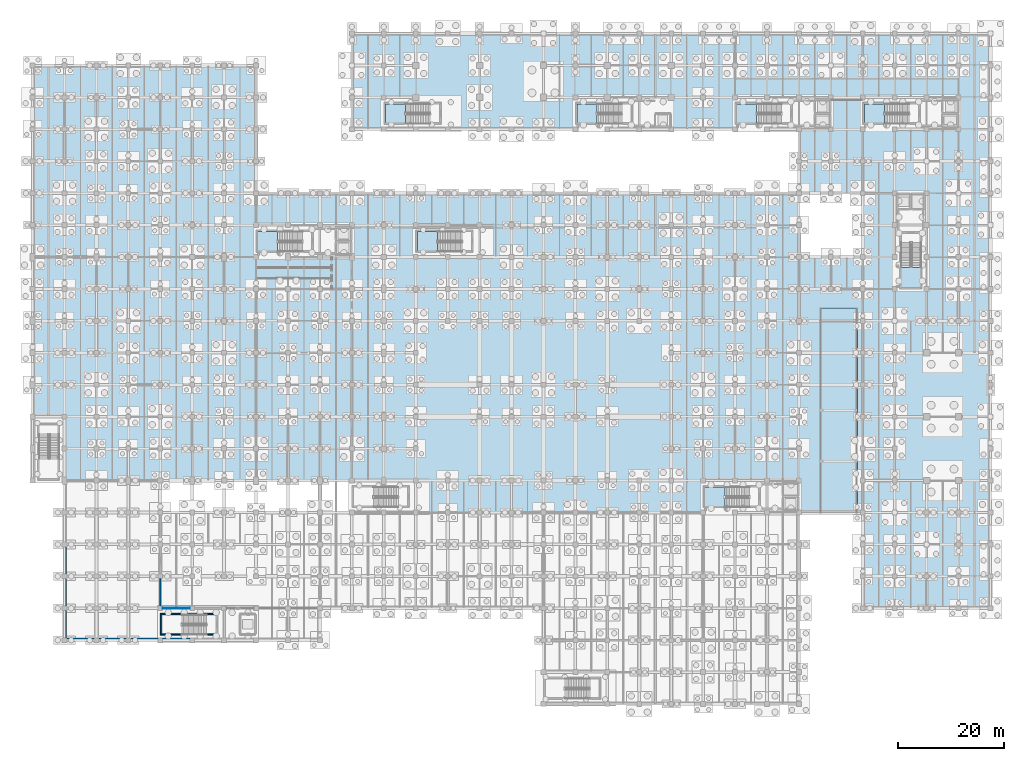
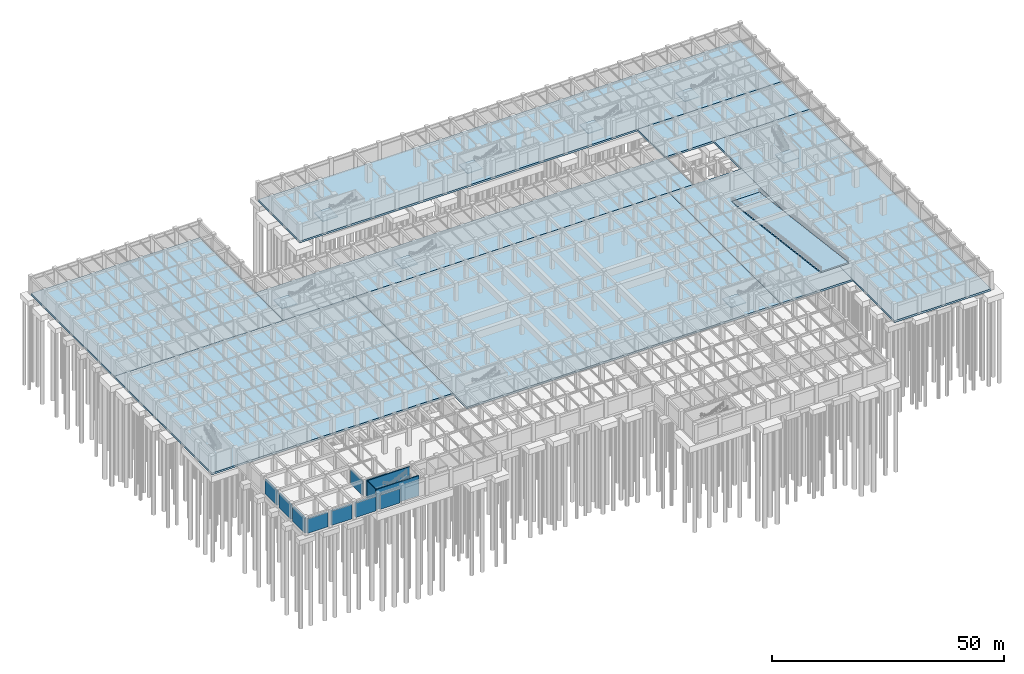
# One storey, part 37 of 54: 17 slabs, 12 walls, 8 elements without a shape of their own.
"""IFC4 building model written with IfcOpenShell, lengths in metres."""

from ifc_helpers import new_model, si_unit, direction, frame, frame_2d, origin, place, context, subcontext, project, spatial, polyline, rectangle, outline, extrude, material, layer, layer_set, type_object, element, aggregate, save


model = new_model("IFC4")

# Units and contexts
model_context = context("Model", 3, precision=1e-05, world=origin(), true_north=direction((0.0, 1.0)))
body_context = subcontext(model_context, "Body", "Model", "MODEL_VIEW")
ifc_project = project(units=[si_unit("LENGTHUNIT", "METRE"), si_unit("AREAUNIT", "SQUARE_METRE"), si_unit("VOLUMEUNIT", "CUBIC_METRE"), si_unit("PLANEANGLEUNIT", "RADIAN"), si_unit("MASSUNIT", "GRAM", prefix="KILO"), si_unit("THERMODYNAMICTEMPERATUREUNIT", "KELVIN"), si_unit("POWERUNIT", "WATT")], contexts=[model_context])

# Site, building, storey
site_placement = place(None, origin())
site = spatial("IfcSite", under=ifc_project, at=site_placement, CompositionType="ELEMENT")
building_placement = place(site_placement, origin())
building = spatial("IfcBuilding", under=site, at=building_placement, Name="Phaisarnlok Congress Hotel", CompositionType="ELEMENT")
storey_placement = place(building_placement, frame((0.0, 0.0, -4.800048828125)))
storey = spatial("IfcBuildingStorey", under=building, at=storey_placement, Name="B01", CompositionType="ELEMENT", Elevation=-4.800048828125)

# Slabs
ifc_material_1 = material(Name="Concrete C40/50", Category="concrete")
ifc_layer_1 = layer(ifc_material_1, 0.5, Name="Concrete C40/50")
ifc_layer_set_1 = layer_set([ifc_layer_1], Name="Concrete C40/50")
slab_type_1 = type_object("IfcSlabType", Name="SLB-BASE-500", PredefinedType="BASESLAB", material=ifc_layer_set_1)
slab_1_placement = place(storey_placement, frame((0.0, 0.0, -0.5)))
element("IfcSlab", 1, at=slab_1_placement, inside=storey, type_object=slab_type_1, Name="Floor slab SL-B01 (B01 v1_sub)", PredefinedType="BASESLAB", context=body_context, shape_type="SweptSolid", body=[
    extrude(outline(polyline([(60.0, 42.0), (60.0, 84.0), (0.0, 84.0), (0.0, 42.0), (60.0, 42.0)])), origin(), (0.0, 0.0, 1.0), 0.5),
])
slab_2_placement = place(storey_placement, frame((0.0, 0.0, -0.5)))
element("IfcSlab", 2, at=slab_2_placement, inside=storey, type_object=slab_type_1, Name="Floor slab SL-B01 (B01 v3_sub)", PredefinedType="BASESLAB", context=body_context, shape_type="SweptSolid", body=[
    extrude(outline(polyline([(42.0, 84.0), (42.0, 120.0), (0.0, 120.0), (0.0, 84.0), (42.0, 84.0)])), origin(), (0.0, 0.0, 1.0), 0.5),
])
slab_3_placement = place(storey_placement, frame((0.0, 0.0, -0.5)))
element("IfcSlab", 3, at=slab_3_placement, inside=storey, type_object=slab_type_1, Name="Floor slab SL-B01 (B01 v4_cp)", PredefinedType="BASESLAB", context=body_context, shape_type="SweptSolid", body=[
    extrude(outline(polyline([(138.0, 36.0), (138.0, 84.0), (60.0, 84.0), (60.0, 36.0), (138.0, 36.0)])), origin(), (0.0, 0.0, 1.0), 0.5),
])
slab_4_placement = place(storey_placement, frame((0.0, 0.0, -0.5)))
element("IfcSlab", 4, at=slab_4_placement, inside=storey, type_object=slab_type_1, Name="Floor slab SL-B01 (B01 v4_n_sub)", PredefinedType="BASESLAB", context=body_context, shape_type="SweptSolid", body=[
    extrude(outline(polyline([(144.0, 84.0), (144.0, 96.0), (42.0, 96.0), (42.0, 84.0), (144.0, 84.0)])), origin(), (0.0, 0.0, 1.0), 0.5),
])
slab_5_placement = place(storey_placement, frame((0.0, 0.0, -0.5)))
element("IfcSlab", 5, at=slab_5_placement, inside=storey, type_object=slab_type_1, Name="Floor slab SL-B01 (B01 v4_ramp_b)", PredefinedType="BASESLAB", context=body_context, shape_type="SweptSolid", body=[
    extrude(outline(polyline([(156.0, 36.0), (156.0, 84.0), (138.0, 84.0), (138.0, 36.0), (156.0, 36.0)]), holes=[polyline([(148.0, 71.949951171875), (155.0, 71.949951171875), (155.0, 74.405029296875), (148.0, 74.405029296875), (148.0, 71.949951171875)])]), origin(), (0.0, 0.0, 1.0), 0.5),
])
slab_6_placement = place(storey_placement, frame((0.0, 0.0, -0.5)))
element("IfcSlab", 6, at=slab_6_placement, inside=storey, type_object=slab_type_1, Name="Floor slab SL-B01 (B01 v5_n_sub)", PredefinedType="BASESLAB", context=body_context, shape_type="SweptSolid", body=[
    extrude(outline(polyline([(180.0, 108.0), (180.0, 126.0), (60.0, 126.0), (60.0, 108.0), (180.0, 108.0)])), origin(), (0.0, 0.0, 1.0), 0.5),
])
slab_7_placement = place(storey_placement, frame((0.0, 0.0, -0.5)))
element("IfcSlab", 7, at=slab_7_placement, inside=storey, type_object=slab_type_1, Name="Floor slab SL-B01 (B01 v5_link_sub)", PredefinedType="BASESLAB", context=body_context, shape_type="SweptSolid", body=[
    extrude(outline(polyline([(180.0, 96.0), (180.0, 108.0), (144.0, 108.0), (144.0, 96.0), (180.0, 96.0)])), origin(), (0.0, 0.0, 1.0), 0.5),
])
slab_8_placement = place(storey_placement, frame((0.0, 0.0, -0.5)))
element("IfcSlab", 8, at=slab_8_placement, inside=storey, type_object=slab_type_1, Name="Floor slab SL-B01 (B01 v5_e_sub)", PredefinedType="BASESLAB", context=body_context, shape_type="SweptSolid", body=[
    extrude(outline(polyline([(180.0, 18.0), (180.0, 96.0), (156.0, 96.0), (156.0, 18.0), (180.0, 18.0)])), origin(), (0.0, 0.0, 1.0), 0.5),
])

# Stair, slab
stair_type = type_object("IfcStairType", Name="STR-DOG-01", PredefinedType="HALF_TURN_STAIR", material=ifc_material_1)
stair_1_placement = place(storey_placement, origin())
stair_1 = element("IfcStair", 9, at=stair_1_placement, inside=storey, type_object=stair_type, Name="B01 ST-01", PredefinedType="HALF_TURN_STAIR")
ifc_layer_2 = layer(ifc_material_1, 0.199951171875, Name="Concrete C40/50")
ifc_layer_set_2 = layer_set([ifc_layer_2], Name="Concrete C40/50")
slab_type_2 = type_object("IfcSlabType", Name="SLB-LND-200", PredefinedType="LANDING", material=ifc_layer_set_2)
slab_9_placement = place(storey_placement, frame((0.0, 0.0, 2.199951171875)))
slab_9 = element("IfcSlab", 10, at=slab_9_placement, type_object=slab_type_2, Name="ST-01 landing 1", PredefinedType="LANDING", context=body_context, shape_type="SweptSolid", body=[
    extrude(outline(polyline([(46.070068359375, 88.800048828125), (42.300048828125, 88.800048828125), (42.300048828125, 85.0), (46.070068359375, 85.0), (46.070068359375, 88.800048828125)])), origin(), (0.0, 0.0, 1.0), 0.2001953125),
])
aggregate(stair_1, [slab_9])

stair_2_placement = place(storey_placement, origin())
stair_2 = element("IfcStair", 11, at=stair_2_placement, inside=storey, type_object=stair_type, Name="B01 ST-02", PredefinedType="HALF_TURN_STAIR")
slab_10_placement = place(storey_placement, frame((0.0, 0.0, 2.199951171875)))
slab_10 = element("IfcSlab", 12, at=slab_10_placement, type_object=slab_type_2, Name="ST-02 landing 1", PredefinedType="LANDING", context=body_context, shape_type="SweptSolid", body=[
    extrude(outline(polyline([(130.070068359375, 40.800048828125), (126.300048828125, 40.800048828125), (126.300048828125, 37.0), (130.070068359375, 37.0), (130.070068359375, 40.800048828125)])), origin(), (0.0, 0.0, 1.0), 0.2001953125),
])
aggregate(stair_2, [slab_10])

stair_3_placement = place(storey_placement, origin())
stair_3 = element("IfcStair", 13, at=stair_3_placement, inside=storey, type_object=stair_type, Name="B01 ST-05", PredefinedType="HALF_TURN_STAIR")
slab_11_placement = place(storey_placement, frame((0.0, 0.0, 2.199951171875)))
slab_11 = element("IfcSlab", 14, at=slab_11_placement, type_object=slab_type_2, Name="ST-05 landing 1", PredefinedType="LANDING", context=body_context, shape_type="SweptSolid", body=[
    extrude(outline(polyline([(160.070068359375, 112.800048828125), (156.300048828125, 112.800048828125), (156.300048828125, 109.0), (160.070068359375, 109.0), (160.070068359375, 112.800048828125)])), origin(), (0.0, 0.0, 1.0), 0.2001953125),
])
aggregate(stair_3, [slab_11])

stair_4_placement = place(storey_placement, origin())
stair_4 = element("IfcStair", 15, at=stair_4_placement, inside=storey, type_object=stair_type, Name="B01 ST-06", PredefinedType="HALF_TURN_STAIR")
slab_12_placement = place(storey_placement, frame((0.0, 0.0, 2.199951171875)))
slab_12 = element("IfcSlab", 16, at=slab_12_placement, type_object=slab_type_2, Name="ST-06 landing 1", PredefinedType="LANDING", context=body_context, shape_type="SweptSolid", body=[
    extrude(outline(polyline([(136.070068359375, 112.800048828125), (132.300048828125, 112.800048828125), (132.300048828125, 109.0), (136.070068359375, 109.0), (136.070068359375, 112.800048828125)])), origin(), (0.0, 0.0, 1.0), 0.2001953125),
])
aggregate(stair_4, [slab_12])

stair_5_placement = place(storey_placement, origin())
stair_5 = element("IfcStair", 17, at=stair_5_placement, inside=storey, type_object=stair_type, Name="B01 ST-07", PredefinedType="HALF_TURN_STAIR")
slab_13_placement = place(storey_placement, frame((0.0, 0.0, 2.199951171875)))
slab_13 = element("IfcSlab", 18, at=slab_13_placement, type_object=slab_type_2, Name="ST-07 landing 1", PredefinedType="LANDING", context=body_context, shape_type="SweptSolid", body=[
    extrude(outline(polyline([(106.070068359375, 112.800048828125), (102.300048828125, 112.800048828125), (102.300048828125, 109.0), (106.070068359375, 109.0), (106.070068359375, 112.800048828125)])), origin(), (0.0, 0.0, 1.0), 0.2001953125),
])
aggregate(stair_5, [slab_13])

stair_6_placement = place(storey_placement, origin())
stair_6 = element("IfcStair", 19, at=stair_6_placement, inside=storey, type_object=stair_type, Name="B01 ST-09", PredefinedType="HALF_TURN_STAIR")
slab_14_placement = place(storey_placement, frame((0.0, 0.0, 2.199951171875)))
slab_14 = element("IfcSlab", 20, at=slab_14_placement, type_object=slab_type_2, Name="ST-09 landing 1", PredefinedType="LANDING", context=body_context, shape_type="SweptSolid", body=[
    extrude(outline(polyline([(163.199951171875, 82.070068359375), (163.199951171875, 78.300048828125), (167.0, 78.300048828125), (167.0, 82.070068359375), (163.199951171875, 82.070068359375)])), origin(), (0.0, 0.0, 1.0), 0.2001953125),
])
aggregate(stair_6, [slab_14])

stair_7_placement = place(storey_placement, origin())
stair_7 = element("IfcStair", 21, at=stair_7_placement, inside=storey, type_object=stair_type, Name="B01 ST-10", PredefinedType="HALF_TURN_STAIR")
slab_15_placement = place(storey_placement, frame((0.0, 0.0, 2.199951171875)))
slab_15 = element("IfcSlab", 22, at=slab_15_placement, type_object=slab_type_2, Name="ST-10 landing 1", PredefinedType="LANDING", context=body_context, shape_type="SweptSolid", body=[
    extrude(outline(polyline([(70.070068359375, 112.800048828125), (66.300048828125, 112.800048828125), (66.300048828125, 109.0), (70.070068359375, 109.0), (70.070068359375, 112.800048828125)])), origin(), (0.0, 0.0, 1.0), 0.2001953125),
])
aggregate(stair_7, [slab_15])

stair_8_placement = place(storey_placement, origin())
stair_8 = element("IfcStair", 23, at=stair_8_placement, inside=storey, type_object=stair_type, Name="B01 ST-11", PredefinedType="HALF_TURN_STAIR")
slab_16_placement = place(storey_placement, frame((0.0, 0.0, 2.199951171875)))
slab_16 = element("IfcSlab", 24, at=slab_16_placement, type_object=slab_type_2, Name="ST-11 landing 1", PredefinedType="LANDING", context=body_context, shape_type="SweptSolid", body=[
    extrude(outline(polyline([(76.070068359375, 88.800048828125), (72.300048828125, 88.800048828125), (72.300048828125, 85.0), (76.070068359375, 85.0), (76.070068359375, 88.800048828125)])), origin(), (0.0, 0.0, 1.0), 0.2001953125),
])
aggregate(stair_8, [slab_16])

# Slab
ifc_layer_3 = layer(ifc_material_1, 0.300048828125, Name="Concrete C40/50")
ifc_layer_set_3 = layer_set([ifc_layer_3], Name="Concrete C40/50")
slab_type_3 = type_object("IfcSlabType", Name="SLB-VRMP-300", PredefinedType="USERDEFINED", material=ifc_layer_set_3)
slab_17_placement = place(storey_placement, frame((148.0, 74.39990234375, 0.0), z_axis=(0.0, 0.124036287512, 0.992277682597), x_axis=(1.0, 0.0, 0.0)))
element("IfcSlab", 25, at=slab_17_placement, inside=storey, type_object=slab_type_3, Name="Structural two-way vehicle ramp slab SL-VRMP (1:8 slope, Concrete C40/50)", ObjectType="VEHICLE RAMP", PredefinedType="USERDEFINED", context=body_context, shape_type="SweptSolid", body=[
    extrude(outline(polyline([(0.0, 0.0), (7.0, 0.0), (7.0, -38.69874634612756), (0.0, -38.69874634612756), (0.0, 0.0)])), origin(), (0.0, 0.0, -1.0), 0.300048828125),
])

# Walls
ifc_layer_4 = layer(ifc_material_1, 0.419921875, Name="Concrete C40/50")
ifc_layer_set_4 = layer_set([ifc_layer_4], Name="Concrete C40/50")
wall_type_1 = type_object("IfcWallType", Name="WL-EXT-420", PredefinedType="SOLIDWALL", material=ifc_layer_set_4)
for number, where, z_axis, x_axis, name in (
    (26, (6.455078125, 12.2099609375, 0.0), (0.0, 0.0, 1.0), (1.0, 0.0, 0.0), "Exterior wall EW-08 (B01)"),
    (27, (12.455078125, 12.2099609375, 0.0), (0.0, 0.0, 1.0), (1.0, 0.0, 0.0), "Exterior wall EW-08 (B01)"),
    (28, (18.455078125, 12.2099609375, 0.0), (0.0, 0.0, 1.0), (1.0, 0.0, 0.0), "Exterior wall EW-08 (B01)"),
):
    element("IfcWall", number, at=place(storey_placement, frame(where, z_axis=z_axis, x_axis=x_axis)), inside=storey, type_object=wall_type_1, Name=name, PredefinedType="SOLIDWALL", context=body_context, shape_type="SweptSolid", body=[
        extrude(rectangle(XDim=5.08984375, YDim=0.419921875, at=frame_2d((2.544921875, 0.0))), origin(), (0.0, 0.0, 1.0), 3.800048828125),
    ])
wall_1_placement = place(storey_placement, frame((24.455078125, 12.2099609375, 0.0), z_axis=(0.0, 0.0, 1.0), x_axis=(1.0, 0.0, 0.0)))
element("IfcWall", 29, at=wall_1_placement, inside=storey, type_object=wall_type_1, Name="Exterior wall EW-08 (B01)", PredefinedType="SOLIDWALL", context=body_context, shape_type="SweptSolid", body=[
    extrude(rectangle(XDim=5.08984375, YDim=0.419921875, at=frame_2d((2.544921875, 0.0))), origin(), (0.0, 0.0, 1.0), 3.75),
])
for number, where, z_axis, x_axis, name in (
    (30, (6.2099609375, 29.544921875, 0.0), (0.0, 0.0, 1.0), (0.0, -1.0, 0.0), "Exterior wall EW-08 (B01)"),
    (31, (6.2099609375, 23.544921875, 0.0), (0.0, 0.0, 1.0), (0.0, -1.0, 0.0), "Exterior wall EW-08 (B01)"),
    (32, (6.2099609375, 17.544921875, 0.0), (0.0, 0.0, 1.0), (0.0, -1.0, 0.0), "Exterior wall EW-08 (B01)"),
):
    element("IfcWall", number, at=place(storey_placement, frame(where, z_axis=z_axis, x_axis=x_axis)), inside=storey, type_object=wall_type_1, Name=name, PredefinedType="SOLIDWALL", context=body_context, shape_type="SweptSolid", body=[
        extrude(rectangle(XDim=5.08984375, YDim=0.419921875, at=frame_2d((2.544921875, 0.0))), origin(), (0.0, 0.0, 1.0), 3.800048828125),
    ])
ifc_material_2 = material(Name="Acoustic Gypsum Board & Mineral Wool", Category="gypsum")
ifc_layer_5 = layer(ifc_material_2, 0.14990234375, Name="Acoustic Gypsum Board & Mineral Wool")
ifc_layer_set_5 = layer_set([ifc_layer_5], Name="Acoustic Gypsum Board & Mineral Wool")
wall_type_2 = type_object("IfcWallType", Name="WL-INT-150", PredefinedType="PARTITIONING", material=ifc_layer_set_5)
wall_2_placement = place(storey_placement, frame((24.455078125, 18.0, 0.0), z_axis=(0.0, 0.0, 1.0), x_axis=(1.0, 0.0, 0.0)))
element("IfcWall", 33, at=wall_2_placement, inside=storey, type_object=wall_type_2, Name="Interior partition wall IW-05 (B01)", PredefinedType="PARTITIONING", context=body_context, shape_type="SweptSolid", body=[
    extrude(rectangle(XDim=5.08984375, YDim=0.14990234375, at=frame_2d((2.544921875, 0.0))), origin(), (0.0, 0.0, 1.0), 4.2099609375),
])
ifc_layer_6 = layer(ifc_material_1, 0.239990234375, Name="Concrete C40/50")
ifc_layer_set_6 = layer_set([ifc_layer_6], Name="Concrete C40/50")
wall_type_3 = type_object("IfcWallType", Name="WL-INT-240", PredefinedType="PARTITIONING", material=ifc_layer_set_6)
wall_3_placement = place(storey_placement, frame((24.0, 18.455078125, 0.0), z_axis=(0.0, 0.0, 1.0), x_axis=(0.0, 1.0, 0.0)))
element("IfcWall", 34, at=wall_3_placement, inside=storey, type_object=wall_type_3, Name="Interior partition wall IW-01 (B01)", PredefinedType="PARTITIONING", context=body_context, shape_type="SweptSolid", body=[
    extrude(rectangle(XDim=5.08984375, YDim=0.239990234375, at=frame_2d((2.544921875, 0.0))), origin(), (0.0, 0.0, 1.0), 3.699951171875),
])
ifc_material_3 = material(Name="Concrete C50/60", Category="concrete")
ifc_layer_7 = layer(ifc_material_3, 0.260009765625, Name="Concrete C50/60")
ifc_layer_set_7 = layer_set([ifc_layer_7], Name="Concrete C50/60")
wall_type_4 = type_object("IfcWallType", Name="WL-SHR-260", PredefinedType="SHEAR", material=ifc_layer_set_7)
for number, where, z_axis, x_axis, name in (
    (35, (24.0400390625, 13.070068359375, -0.5), (0.0, 0.0, 1.0), (1.0, 0.0, 0.0), "Stair shaft shear wall SW-04 (STAIR-MRT B01)"),
    (36, (24.0400390625, 16.929931640625, -0.5), (0.0, 0.0, 1.0), (1.0, 0.0, 0.0), "Stair shaft shear wall SW-04 (STAIR-MRT B01)"),
):
    element("IfcWall", number, at=place(storey_placement, frame(where, z_axis=z_axis, x_axis=x_axis)), inside=storey, type_object=wall_type_4, Name=name, PredefinedType="SHEAR", context=body_context, shape_type="SweptSolid", body=[
        extrude(rectangle(XDim=10.719970703125, YDim=0.260009765625, at=frame_2d((5.35986328125, 0.0))), origin(), (0.0, 0.0, 1.0), 5.300048828125),
    ])
wall_4_placement = place(storey_placement, frame((24.169921875, 13.199951171875, -0.5), z_axis=(0.0, 0.0, 1.0), x_axis=(0.0, 1.0, 0.0)))
element("IfcWall", 37, at=wall_4_placement, inside=storey, type_object=wall_type_4, Name="Stair shaft shear wall SW-04 (STAIR-MRT B01)", PredefinedType="SHEAR", context=body_context, shape_type="SweptSolid", body=[
    extrude(rectangle(XDim=3.60009765625, YDim=0.260009765625, at=frame_2d((1.800048828125, 0.0))), origin(), (0.0, 0.0, 1.0), 5.300048828125),
])

save(model, "model.ifc")
